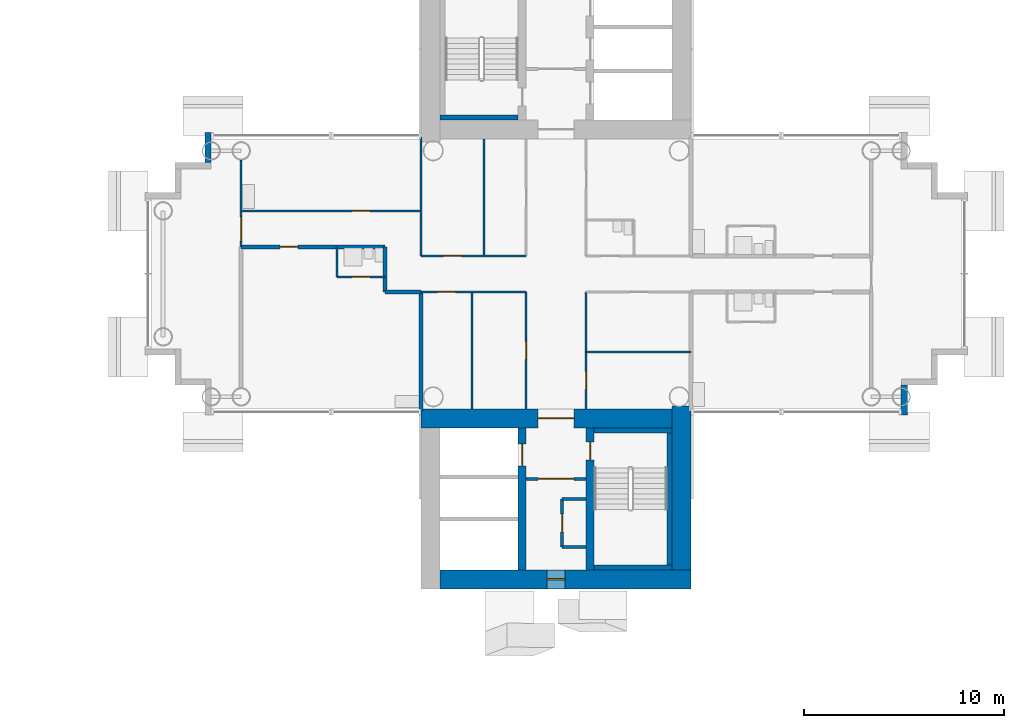
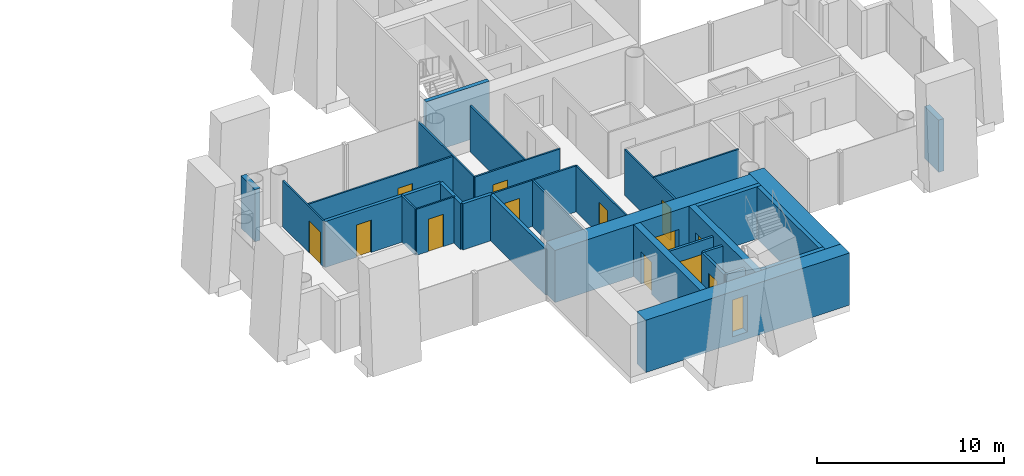
# One storey, part 12 of 21: 31 walls, 13 doors, 1 window, 14 openings.
"""IFC4 building model written with IfcOpenShell, lengths in metres."""

from ifc_helpers import new_model, si_unit, direction, frame, frame_2d, origin, place, context, subcontext, project, spatial, rectangle, extrude, material, layer, layer_set, type_object, element, fill, save


model = new_model("IFC4")

# Units and contexts
model_context = context("Model", 3, precision=1e-05, world=origin(), true_north=direction((0.0, 1.0)))
body_context = subcontext(model_context, "Body", "Model", "MODEL_VIEW")
ifc_project = project(units=[si_unit("LENGTHUNIT", "METRE"), si_unit("AREAUNIT", "SQUARE_METRE"), si_unit("VOLUMEUNIT", "CUBIC_METRE"), si_unit("PLANEANGLEUNIT", "RADIAN"), si_unit("MASSUNIT", "GRAM", prefix="KILO")], contexts=[model_context])

# Site, building, storey
site_placement = place(None, origin())
site = spatial("IfcSite", under=ifc_project, at=site_placement, CompositionType="ELEMENT")
building_placement = place(site_placement, origin())
building = spatial("IfcBuilding", under=site, at=building_placement, Name="Ipe Terrace Towers", CompositionType="ELEMENT")
storey_placement = place(building_placement, frame((0.0, 0.0, 86.800048828125)))
storey = spatial("IfcBuildingStorey", under=building, at=storey_placement, Name="L23", CompositionType="ELEMENT", Elevation=86.800048828125)

# Walls
ifc_material_1 = material(Name="Concrete C40/50 with buff precast cladding", Category="concrete")
ifc_layer_1 = layer(ifc_material_1, 0.320068359375)
ifc_layer_set_1 = layer_set([ifc_layer_1], Name="BUFF CLADDING WALL 320")
wall_type_1 = type_object("IfcWallType", Name="BUFF CLADDING WALL 320", PredefinedType="STANDARD", material=ifc_layer_set_1)
for number, where, z_axis, x_axis, name in (
    (1, (53.409912109375, -7.070068359375, -0.300048828125), (0.0, 0.0, 1.0), (0.0, 1.0, 0.0), "T2-W-L23-04a wall"),
    (2, (18.590087890625, 7.070068359375, -0.300048828125), (0.0, 0.0, 1.0), (0.0, -1.0, 0.0), "T2-W-L23-30a wall"),
):
    element("IfcWall", number, at=place(storey_placement, frame(where, z_axis=z_axis, x_axis=x_axis)), inside=storey, type_object=wall_type_1, Name=name, PredefinedType="STANDARD", context=body_context, shape_type="SweptSolid", body=[
        extrude(rectangle(XDim=1.5, YDim=0.320068359375, at=frame_2d((0.75, 0.0))), origin(), (0.0, 0.0, 1.0), 3.39990234375),
    ])
ifc_material_2 = material(Name="Gypsum board partition", Category="plasterboard")
ifc_layer_2 = layer(ifc_material_2, 0.10009765625)
ifc_layer_set_2 = layer_set([ifc_layer_2], Name="Gypsum board partition 100 mm")
wall_type_2 = type_object("IfcWallType", Name="Gypsum board partition 100 mm", PredefinedType="PARTITIONING", material=ifc_layer_set_2)
wall_1_placement = place(storey_placement, frame((42.75, -3.89990234375, 0.0), z_axis=(0.0, 0.0, 1.0), x_axis=(-1.0, 0.0, 0.0)))
element("IfcWall", 3, at=wall_1_placement, inside=storey, type_object=wall_type_2, Name="Gypsum board partition T2 L23 W01", PredefinedType="PARTITIONING", context=body_context, shape_type="SweptSolid", body=[
    extrude(rectangle(XDim=5.25, YDim=0.10009765625, at=frame_2d((2.625, 0.0))), origin(), (0.0, 0.0, 1.0), 3.0),
])

# Wall, opening, door
wall_2_placement = place(storey_placement, frame((34.5, -0.89990234375, 0.0), z_axis=(0.0, 0.0, 1.0), x_axis=(-1.0, 0.0, 0.0)))
wall_2 = element("IfcWall", 4, at=wall_2_placement, inside=storey, type_object=wall_type_2, Name="Gypsum board partition T2 L23 W04", PredefinedType="PARTITIONING", context=body_context, shape_type="SweptSolid", body=[
    extrude(rectangle(XDim=5.25, YDim=0.10009765625, at=frame_2d((2.625, 0.0))), origin(), (0.0, 0.0, 1.0), 3.0),
])
opening_1_placement = place(wall_2_placement, frame((3.52490234375, 0.0, 0.0)))
opening_1 = element("IfcOpeningElement", 5, at=opening_1_placement, cuts=wall_2, Name="Opening T2-Z2C-05", PredefinedType="OPENING", context=body_context, shape_type="SweptSolid", body=[
    extrude(rectangle(XDim=0.89990234375, YDim=2.10009765625, at=frame_2d((0.449951171875, 1.050048828125))), frame((0.0, 0.06005859375, 0.0), z_axis=(0.0, -1.0, 0.0), x_axis=(1.0, 0.0, 0.0)), (0.0, 0.0, 1.0), 0.1201171875),
])
ifc_material_3 = material(Name="Timber door leaf", Category="wood")
door_type_1 = type_object("IfcDoorType", Name="Lounge door 900 x 2100", OperationType="NOTDEFINED", PredefinedType="DOOR", material=ifc_material_3)
door_1_placement = place(opening_1_placement, origin())
door_1 = element("IfcDoor", 6, at=door_1_placement, inside=storey, type_object=door_type_1, Name="Lounge door T2-Z2C-05", OperationType="SINGLE_SWING_LEFT", OverallHeight=2.10009765625, OverallWidth=0.89990234375, PredefinedType="DOOR", context=body_context, shape_type="SweptSolid", body=[
    extrude(rectangle(XDim=0.89990234375, YDim=2.10009765625, at=frame_2d((0.449951171875, 1.050048828125))), frame((0.0, 0.02490234375, 0.0), z_axis=(0.0, -1.0, 0.0), x_axis=(1.0, 0.0, 0.0)), (0.0, 0.0, 1.0), 0.050048828125),
])
fill(opening_1, door_1)

wall_3_placement = place(storey_placement, frame((27.449951171875, -0.14990234375, 0.0), z_axis=(0.0, 0.0, 1.0), x_axis=(-1.0, 0.0, 0.0)))
wall_3 = element("IfcWall", 7, at=wall_3_placement, inside=storey, type_object=wall_type_2, Name="Gypsum board partition T2 L23 W07", PredefinedType="PARTITIONING", context=body_context, shape_type="SweptSolid", body=[
    extrude(rectangle(XDim=2.39990234375, YDim=0.10009765625, at=frame_2d((1.199951171875, 0.0))), origin(), (0.0, 0.0, 1.0), 3.0),
])
opening_2_placement = place(wall_3_placement, frame((0.75, 0.0, 0.0)))
opening_2 = element("IfcOpeningElement", 8, at=opening_2_placement, cuts=wall_3, Name="Opening T2-Z2C-10", PredefinedType="OPENING", context=body_context, shape_type="SweptSolid", body=[
    extrude(rectangle(XDim=0.89990234375, YDim=2.10009765625, at=frame_2d((0.449951171875, 1.050048828125))), frame((0.0, 0.06005859375, 0.0), z_axis=(0.0, -1.0, 0.0), x_axis=(1.0, 0.0, 0.0)), (0.0, 0.0, 1.0), 0.1201171875),
])
ifc_material_4 = material(Name="Timber door leaf", Category="wood")
door_type_2 = type_object("IfcDoorType", Name="Bathroom door 900 x 2100", OperationType="NOTDEFINED", PredefinedType="DOOR", material=ifc_material_4)
door_2_placement = place(opening_2_placement, origin())
door_2 = element("IfcDoor", 9, at=door_2_placement, inside=storey, type_object=door_type_2, Name="Bathroom door T2-Z2C-10", OperationType="SINGLE_SWING_RIGHT", OverallHeight=2.10009765625, OverallWidth=0.89990234375, PredefinedType="DOOR", context=body_context, shape_type="SweptSolid", body=[
    extrude(rectangle(XDim=0.89990234375, YDim=2.10009765625, at=frame_2d((0.449951171875, 1.050048828125))), frame((0.0, 0.02490234375, 0.0), z_axis=(0.0, -1.0, 0.0), x_axis=(1.0, 0.0, 0.0)), (0.0, 0.0, 1.0), 0.050048828125),
])
fill(opening_2, door_2)

wall_4_placement = place(storey_placement, frame((34.5, 0.89990234375, 0.0), z_axis=(0.0, 0.0, 1.0), x_axis=(-1.0, 0.0, 0.0)))
wall_4 = element("IfcWall", 10, at=wall_4_placement, inside=storey, type_object=wall_type_2, Name="Gypsum board partition T2 L23 W09", PredefinedType="PARTITIONING", context=body_context, shape_type="SweptSolid", body=[
    extrude(rectangle(XDim=5.25, YDim=0.10009765625, at=frame_2d((2.625, 0.0))), origin(), (0.0, 0.0, 1.0), 3.0),
])
opening_3_placement = place(wall_4_placement, frame((3.22509765625, 0.0, 0.0)))
opening_3 = element("IfcOpeningElement", 11, at=opening_3_placement, cuts=wall_4, Name="Opening T2-Z2C-03", PredefinedType="OPENING", context=body_context, shape_type="SweptSolid", body=[
    extrude(rectangle(XDim=0.89990234375, YDim=2.10009765625, at=frame_2d((0.449951171875, 1.050048828125))), frame((0.0, 0.06005859375, 0.0), z_axis=(0.0, -1.0, 0.0), x_axis=(1.0, 0.0, 0.0)), (0.0, 0.0, 1.0), 0.1201171875),
])
door_3_placement = place(opening_3_placement, origin())
door_3 = element("IfcDoor", 12, at=door_3_placement, inside=storey, type_object=door_type_1, Name="Lounge door T2-Z2C-03", OperationType="SINGLE_SWING_RIGHT", OverallHeight=2.10009765625, OverallWidth=0.89990234375, PredefinedType="DOOR", context=body_context, shape_type="SweptSolid", body=[
    extrude(rectangle(XDim=0.89990234375, YDim=2.10009765625, at=frame_2d((0.449951171875, 1.050048828125))), frame((0.0, 0.02490234375, 0.0), z_axis=(0.0, -1.0, 0.0), x_axis=(1.0, 0.0, 0.0)), (0.0, 0.0, 1.0), 0.050048828125),
])
fill(opening_3, door_3)

wall_5_placement = place(storey_placement, frame((29.25, 3.14990234375, 0.0), z_axis=(0.0, 0.0, 1.0), x_axis=(-1.0, 0.0, 0.0)))
wall_5 = element("IfcWall", 13, at=wall_5_placement, inside=storey, type_object=wall_type_2, Name="Gypsum board partition T2 L23 W14", PredefinedType="PARTITIONING", context=body_context, shape_type="SweptSolid", body=[
    extrude(rectangle(XDim=9.0, YDim=0.10009765625, at=frame_2d((4.5, 0.0))), origin(), (0.0, 0.0, 1.0), 3.0),
])
opening_4_placement = place(wall_5_placement, frame((2.550048828125, 0.0, 0.0)))
opening_4 = element("IfcOpeningElement", 14, at=opening_4_placement, cuts=wall_5, Name="Opening T2-Z2C-11", PredefinedType="OPENING", context=body_context, shape_type="SweptSolid", body=[
    extrude(rectangle(XDim=0.89990234375, YDim=2.10009765625, at=frame_2d((0.449951171875, 1.050048828125))), frame((0.0, 0.06005859375, 0.0), z_axis=(0.0, -1.0, 0.0), x_axis=(1.0, 0.0, 0.0)), (0.0, 0.0, 1.0), 0.1201171875),
])
door_4_placement = place(opening_4_placement, origin())
door_4 = element("IfcDoor", 15, at=door_4_placement, inside=storey, type_object=door_type_1, Name="Lounge door T2-Z2C-11", OperationType="SINGLE_SWING_LEFT", OverallHeight=2.10009765625, OverallWidth=0.89990234375, PredefinedType="DOOR", context=body_context, shape_type="SweptSolid", body=[
    extrude(rectangle(XDim=0.89990234375, YDim=2.10009765625, at=frame_2d((0.449951171875, 1.050048828125))), frame((0.0, 0.02490234375, 0.0), z_axis=(0.0, -1.0, 0.0), x_axis=(1.0, 0.0, 0.0)), (0.0, 0.0, 1.0), 0.050048828125),
])
fill(opening_4, door_4)

wall_6_placement = place(storey_placement, frame((37.5, -6.75, 0.0), z_axis=(0.0, 0.0, 1.0), x_axis=(0.0, 1.0, 0.0)))
wall_6 = element("IfcWall", 16, at=wall_6_placement, inside=storey, type_object=wall_type_2, Name="Gypsum board partition T2 L23 W30", PredefinedType="PARTITIONING", context=body_context, shape_type="SweptSolid", body=[
    extrude(rectangle(XDim=5.85009765625, YDim=0.10009765625, at=frame_2d((2.925048828125, 0.0))), origin(), (0.0, 0.0, 1.0), 3.0),
])
opening_5_placement = place(wall_6_placement, frame((0.97509765625, 0.0, 0.0)))
opening_5 = element("IfcOpeningElement", 17, at=opening_5_placement, cuts=wall_6, Name="Opening T2-Z2C-07", PredefinedType="OPENING", context=body_context, shape_type="SweptSolid", body=[
    extrude(rectangle(XDim=0.89990234375, YDim=2.10009765625, at=frame_2d((0.449951171875, 1.050048828125))), frame((0.0, 0.06005859375, 0.0), z_axis=(0.0, -1.0, 0.0), x_axis=(1.0, 0.0, 0.0)), (0.0, 0.0, 1.0), 0.1201171875),
])
door_5_placement = place(opening_5_placement, origin())
door_5 = element("IfcDoor", 18, at=door_5_placement, inside=storey, type_object=door_type_1, Name="Lounge door T2-Z2C-07", OperationType="SINGLE_SWING_LEFT", OverallHeight=2.10009765625, OverallWidth=0.89990234375, PredefinedType="DOOR", context=body_context, shape_type="SweptSolid", body=[
    extrude(rectangle(XDim=0.89990234375, YDim=2.10009765625, at=frame_2d((0.449951171875, 1.050048828125))), frame((0.0, 0.02490234375, 0.0), z_axis=(0.0, -1.0, 0.0), x_axis=(1.0, 0.0, 0.0)), (0.0, 0.0, 1.0), 0.050048828125),
])
fill(opening_5, door_5)

wall_7_placement = place(storey_placement, frame((34.5, -6.75, 0.0), z_axis=(0.0, 0.0, 1.0), x_axis=(0.0, 1.0, 0.0)))
wall_7 = element("IfcWall", 19, at=wall_7_placement, inside=storey, type_object=wall_type_2, Name="Gypsum board partition T2 L23 W34", PredefinedType="PARTITIONING", context=body_context, shape_type="SweptSolid", body=[
    extrude(rectangle(XDim=5.85009765625, YDim=0.10009765625, at=frame_2d((2.925048828125, 0.0))), origin(), (0.0, 0.0, 1.0), 3.0),
])
opening_6_placement = place(wall_7_placement, frame((2.47509765625, 0.0, 0.0)))
opening_6 = element("IfcOpeningElement", 20, at=opening_6_placement, cuts=wall_7, Name="Opening T2-Z2C-04", PredefinedType="OPENING", context=body_context, shape_type="SweptSolid", body=[
    extrude(rectangle(XDim=0.89990234375, YDim=2.10009765625, at=frame_2d((0.449951171875, 1.050048828125))), frame((0.0, 0.06005859375, 0.0), z_axis=(0.0, -1.0, 0.0), x_axis=(1.0, 0.0, 0.0)), (0.0, 0.0, 1.0), 0.1201171875),
])
door_6_placement = place(opening_6_placement, origin())
door_6 = element("IfcDoor", 21, at=door_6_placement, inside=storey, type_object=door_type_1, Name="Lounge door T2-Z2C-04", OperationType="SINGLE_SWING_RIGHT", OverallHeight=2.10009765625, OverallWidth=0.89990234375, PredefinedType="DOOR", context=body_context, shape_type="SweptSolid", body=[
    extrude(rectangle(XDim=0.89990234375, YDim=2.10009765625, at=frame_2d((0.449951171875, 1.050048828125))), frame((0.0, 0.02490234375, 0.0), z_axis=(0.0, -1.0, 0.0), x_axis=(1.0, 0.0, 0.0)), (0.0, 0.0, 1.0), 0.050048828125),
])
fill(opening_6, door_6)

# Walls
for number, where, z_axis, x_axis, name in (
    (22, (32.39990234375, 0.89990234375, 0.0), (0.0, 0.0, 1.0), (0.0, 1.0, 0.0), "Gypsum board partition T2 L23 W38"),
    (23, (31.800048828125, -6.75, 0.0), (0.0, 0.0, 1.0), (0.0, 1.0, 0.0), "Gypsum board partition T2 L23 W39"),
):
    element("IfcWall", number, at=place(storey_placement, frame(where, z_axis=z_axis, x_axis=x_axis)), inside=storey, type_object=wall_type_2, Name=name, PredefinedType="PARTITIONING", context=body_context, shape_type="SweptSolid", body=[
        extrude(rectangle(XDim=5.85009765625, YDim=0.10009765625, at=frame_2d((2.925048828125, 0.0))), origin(), (0.0, 0.0, 1.0), 3.0),
    ])
wall_8_placement = place(storey_placement, frame((29.25, 0.89990234375, 0.0), z_axis=(0.0, 0.0, 1.0), x_axis=(0.0, 1.0, 0.0)))
element("IfcWall", 24, at=wall_8_placement, inside=storey, type_object=wall_type_2, Name="Gypsum board partition T2 L23 W40", PredefinedType="PARTITIONING", context=body_context, shape_type="SweptSolid", body=[
    extrude(rectangle(XDim=5.9501953125, YDim=0.10009765625, at=frame_2d((2.97509765625, 0.0))), origin(), (0.0, 0.0, 1.0), 3.0),
])
wall_9_placement = place(storey_placement, frame((25.050048828125, -0.14990234375, 0.0), z_axis=(0.0, 0.0, 1.0), x_axis=(0.0, 1.0, 0.0)))
element("IfcWall", 25, at=wall_9_placement, inside=storey, type_object=wall_type_2, Name="Gypsum board partition T2 L23 W43", PredefinedType="PARTITIONING", context=body_context, shape_type="SweptSolid", body=[
    extrude(rectangle(XDim=1.5, YDim=0.10009765625, at=frame_2d((0.75, 0.0))), origin(), (0.0, 0.0, 1.0), 3.0),
])

# Wall, opening, door
wall_10_placement = place(storey_placement, frame((20.25, 1.35009765625, 0.0), z_axis=(0.0, 0.0, 1.0), x_axis=(0.0, 1.0, 0.0)))
wall_10 = element("IfcWall", 26, at=wall_10_placement, inside=storey, type_object=wall_type_2, Name="Gypsum board partition T2 L23 W44", PredefinedType="PARTITIONING", context=body_context, shape_type="SweptSolid", body=[
    extrude(rectangle(XDim=4.349853515625, YDim=0.10009765625, at=frame_2d((2.1748046875, 0.0))), origin(), (0.0, 0.0, 1.0), 3.0),
])
opening_7_placement = place(wall_10_placement, frame((0.300048828125, 0.0, 0.0)))
opening_7 = element("IfcOpeningElement", 27, at=opening_7_placement, cuts=wall_10, Name="Opening T2-Z2C-12", PredefinedType="OPENING", context=body_context, shape_type="SweptSolid", body=[
    extrude(rectangle(XDim=1.199951171875, YDim=2.10009765625, at=frame_2d((0.60009765625, 1.050048828125))), frame((0.0, 0.06005859375, 0.0), z_axis=(0.0, -1.0, 0.0), x_axis=(1.0, 0.0, 0.0)), (0.0, 0.0, 1.0), 0.1201171875),
])
ifc_material_5 = material(Name="Timber door leaf", Category="wood")
door_type_3 = type_object("IfcDoorType", Name="Lounge door 1200 x 2100", OperationType="NOTDEFINED", PredefinedType="DOOR", material=ifc_material_5)
door_7_placement = place(opening_7_placement, origin())
door_7 = element("IfcDoor", 28, at=door_7_placement, inside=storey, type_object=door_type_3, Name="Lounge door T2-Z2C-12", OperationType="SINGLE_SWING_RIGHT", OverallHeight=2.10009765625, OverallWidth=1.199951171875, PredefinedType="DOOR", context=body_context, shape_type="SweptSolid", body=[
    extrude(rectangle(XDim=1.199951171875, YDim=2.10009765625, at=frame_2d((0.60009765625, 1.050048828125))), frame((0.0, 0.02490234375, 0.0), z_axis=(0.0, -1.0, 0.0), x_axis=(1.0, 0.0, 0.0)), (0.0, 0.0, 1.0), 0.050048828125),
])
fill(opening_7, door_7)

ifc_material_6 = material(Name="Gypsum board partition", Category="plasterboard")
ifc_layer_3 = layer(ifc_material_6, 0.14990234375)
ifc_layer_set_3 = layer_set([ifc_layer_3], Name="Gypsum board partition 150 mm")
wall_type_3 = type_object("IfcWallType", Name="Gypsum board partition 150 mm", PredefinedType="PARTITIONING", material=ifc_layer_set_3)
wall_11_placement = place(storey_placement, frame((34.5, -10.25, 0.0), z_axis=(0.0, 0.0, 1.0), x_axis=(1.0, 0.0, 0.0)))
wall_11 = element("IfcWall", 29, at=wall_11_placement, inside=storey, type_object=wall_type_3, Name="Gypsum board partition T2 L23 t2c2-lobby-wall", PredefinedType="PARTITIONING", context=body_context, shape_type="SweptSolid", body=[
    extrude(rectangle(XDim=3.0, YDim=0.14990234375, at=frame_2d((1.5, 0.0))), origin(), (0.0, 0.0, 1.0), 3.0),
])
opening_8_placement = place(wall_11_placement, frame((0.60009765625, 0.0, 0.0)))
opening_8 = element("IfcOpeningElement", 30, at=opening_8_placement, cuts=wall_11, Name="Opening T2C2-VD", PredefinedType="OPENING", context=body_context, shape_type="SweptSolid", body=[
    extrude(rectangle(XDim=1.800048828125, YDim=2.10009765625, at=frame_2d((0.89990234375, 1.050048828125))), frame((0.0, 0.0849609375, 0.0), z_axis=(0.0, -1.0, 0.0), x_axis=(1.0, 0.0, 0.0)), (0.0, 0.0, 1.0), 0.169921875),
])
ifc_material_7 = material(Name="Fire-rated timber door leaf", Category="wood")
door_type_4 = type_object("IfcDoorType", Name="Lobby door 1800 x 2100 FD60", OperationType="NOTDEFINED", PredefinedType="DOOR", material=ifc_material_7)
door_8_placement = place(opening_8_placement, origin())
door_8 = element("IfcDoor", 31, at=door_8_placement, inside=storey, type_object=door_type_4, Name="Lobby door T2C2-VD", OperationType="SINGLE_SWING_LEFT", OverallHeight=2.10009765625, OverallWidth=1.800048828125, PredefinedType="DOOR", context=body_context, shape_type="SweptSolid", body=[
    extrude(rectangle(XDim=1.800048828125, YDim=2.10009765625, at=frame_2d((0.89990234375, 1.050048828125))), frame((0.0, 0.02490234375, 0.0), z_axis=(0.0, -1.0, 0.0), x_axis=(1.0, 0.0, 0.0)), (0.0, 0.0, 1.0), 0.050048828125),
])
fill(opening_8, door_8)

wall_12_placement = place(storey_placement, frame((36.300048828125, -11.25, 0.0), z_axis=(0.0, 0.0, 1.0), x_axis=(0.0, -1.0, 0.0)))
wall_12 = element("IfcWall", 32, at=wall_12_placement, inside=storey, type_object=wall_type_3, Name="Gypsum board partition T2 L23 t2c2-cup-n-f", PredefinedType="PARTITIONING", context=body_context, shape_type="SweptSolid", body=[
    extrude(rectangle(XDim=2.39990234375, YDim=0.14990234375, at=frame_2d((1.199951171875, 0.0))), origin(), (0.0, 0.0, 1.0), 3.0),
])
opening_9_placement = place(wall_12_placement, frame((0.75, 0.0, 0.0)))
opening_9 = element("IfcOpeningElement", 33, at=opening_9_placement, cuts=wall_12, Name="Opening T2C2-SR", PredefinedType="OPENING", context=body_context, shape_type="SweptSolid", body=[
    extrude(rectangle(XDim=0.89990234375, YDim=2.10009765625, at=frame_2d((0.449951171875, 1.050048828125))), frame((0.0, 0.0849609375, 0.0), z_axis=(0.0, -1.0, 0.0), x_axis=(1.0, 0.0, 0.0)), (0.0, 0.0, 1.0), 0.169921875),
])
ifc_material_8 = material(Name="Fire-rated timber door leaf", Category="wood")
door_type_5 = type_object("IfcDoorType", Name="Service door 900 x 2100 FD60", OperationType="NOTDEFINED", PredefinedType="DOOR", material=ifc_material_8)
door_9_placement = place(opening_9_placement, origin())
door_9 = element("IfcDoor", 34, at=door_9_placement, inside=storey, type_object=door_type_5, Name="Service door T2C2-SR", OperationType="SINGLE_SWING_LEFT", OverallHeight=2.10009765625, OverallWidth=0.89990234375, PredefinedType="DOOR", context=body_context, shape_type="SweptSolid", body=[
    extrude(rectangle(XDim=0.89990234375, YDim=2.10009765625, at=frame_2d((0.449951171875, 1.050048828125))), frame((0.0, 0.02490234375, 0.0), z_axis=(0.0, -1.0, 0.0), x_axis=(1.0, 0.0, 0.0)), (0.0, 0.0, 1.0), 0.050048828125),
])
fill(opening_9, door_9)

# Walls
for number, where, z_axis, x_axis, name in (
    (35, (36.300048828125, -11.25, 0.0), (0.0, 0.0, 1.0), (1.0, 0.0, 0.0), "Gypsum board partition T2 L23 t2c2-cup-n-a"),
    (36, (36.300048828125, -13.64990234375, 0.0), (0.0, 0.0, 1.0), (1.0, 0.0, 0.0), "Gypsum board partition T2 L23 t2c2-cup-n-b"),
):
    element("IfcWall", number, at=place(storey_placement, frame(where, z_axis=z_axis, x_axis=x_axis)), inside=storey, type_object=wall_type_3, Name=name, PredefinedType="PARTITIONING", context=body_context, shape_type="SweptSolid", body=[
        extrude(rectangle(XDim=1.199951171875, YDim=0.14990234375, at=frame_2d((0.60009765625, 0.0))), origin(), (0.0, 0.0, 1.0), 3.0),
    ])
ifc_material_9 = material(Name="Gypsum board party wall", Category="plasterboard")
ifc_layer_4 = layer(ifc_material_9, 0.199951171875)
ifc_layer_set_4 = layer_set([ifc_layer_4], Name="Gypsum board party wall 200 mm")
wall_type_4 = type_object("IfcWallType", Name="Gypsum board party wall 200 mm", PredefinedType="SOLIDWALL", material=ifc_layer_set_4)
wall_13_placement = place(storey_placement, frame((29.25, -0.89990234375, 0.0), z_axis=(0.0, 0.0, 1.0), x_axis=(-1.0, 0.0, 0.0)))
element("IfcWall", 37, at=wall_13_placement, inside=storey, type_object=wall_type_4, Name="Gypsum board party wall T2 L23 W06", PredefinedType="SOLIDWALL", context=body_context, shape_type="SweptSolid", body=[
    extrude(rectangle(XDim=1.800048828125, YDim=0.199951171875, at=frame_2d((0.89990234375, 0.0))), origin(), (0.0, 0.0, 1.0), 3.0),
])

# Wall, opening, door
wall_14_placement = place(storey_placement, frame((27.449951171875, 1.35009765625, 0.0), z_axis=(0.0, 0.0, 1.0), x_axis=(-1.0, 0.0, 0.0)))
wall_14 = element("IfcWall", 38, at=wall_14_placement, inside=storey, type_object=wall_type_4, Name="Gypsum board party wall T2 L23 W11", PredefinedType="SOLIDWALL", context=body_context, shape_type="SweptSolid", body=[
    extrude(rectangle(XDim=7.199951171875, YDim=0.199951171875, at=frame_2d((3.60009765625, 0.0))), origin(), (0.0, 0.0, 1.0), 3.0),
])
opening_10_placement = place(wall_14_placement, frame((4.35009765625, 0.0, 0.0)))
opening_10 = element("IfcOpeningElement", 39, at=opening_10_placement, cuts=wall_14, Name="Opening T2-Z2C-09", PredefinedType="OPENING", context=body_context, shape_type="SweptSolid", body=[
    extrude(rectangle(XDim=0.89990234375, YDim=2.10009765625, at=frame_2d((0.449951171875, 1.050048828125))), frame((0.0, 0.10986328125, 0.0), z_axis=(0.0, -1.0, 0.0), x_axis=(1.0, 0.0, 0.0)), (0.0, 0.0, 1.0), 0.219970703125),
])
ifc_material_10 = material(Name="Fire-rated timber door leaf", Category="wood")
door_type_6 = type_object("IfcDoorType", Name="Flat entrance door 900 x 2100 FD30S", OperationType="NOTDEFINED", PredefinedType="DOOR", material=ifc_material_10)
door_10_placement = place(opening_10_placement, origin())
door_10 = element("IfcDoor", 40, at=door_10_placement, inside=storey, type_object=door_type_6, Name="Flat entrance door T2-Z2C-09", OperationType="SINGLE_SWING_LEFT", OverallHeight=2.10009765625, OverallWidth=0.89990234375, PredefinedType="DOOR", context=body_context, shape_type="SweptSolid", body=[
    extrude(rectangle(XDim=0.89990234375, YDim=2.10009765625, at=frame_2d((0.449951171875, 1.050048828125))), frame((0.0, 0.02490234375, 0.0), z_axis=(0.0, -1.0, 0.0), x_axis=(1.0, 0.0, 0.0)), (0.0, 0.0, 1.0), 0.050048828125),
])
fill(opening_10, door_10)

# Walls
wall_15_placement = place(storey_placement, frame((29.25, -6.85009765625, 0.0), z_axis=(0.0, 0.0, 1.0), x_axis=(0.0, 1.0, 0.0)))
element("IfcWall", 41, at=wall_15_placement, inside=storey, type_object=wall_type_4, Name="Gypsum board party wall T2 L23 W41", PredefinedType="SOLIDWALL", context=body_context, shape_type="SweptSolid", body=[
    extrude(rectangle(XDim=5.9501953125, YDim=0.199951171875, at=frame_2d((2.97509765625, 0.0))), origin(), (0.0, 0.0, 1.0), 3.0),
])
wall_16_placement = place(storey_placement, frame((27.449951171875, -0.89990234375, 0.0), z_axis=(0.0, 0.0, 1.0), x_axis=(0.0, 1.0, 0.0)))
element("IfcWall", 42, at=wall_16_placement, inside=storey, type_object=wall_type_4, Name="Gypsum board party wall T2 L23 W42", PredefinedType="SOLIDWALL", context=body_context, shape_type="SweptSolid", body=[
    extrude(rectangle(XDim=2.25, YDim=0.199951171875, at=frame_2d((1.125, 0.0))), origin(), (0.0, 0.0, 1.0), 3.0),
])
ifc_material_11 = material(Name="Concrete C50/60", Category="concrete")
ifc_layer_5 = layer(ifc_material_11, 0.25)
ifc_layer_set_5 = layer_set([ifc_layer_5], Name="RW250 CORE INFILL WALL 250 C50-60")
wall_type_5 = type_object("IfcWallType", Name="RW250 CORE INFILL WALL 250 C50-60", PredefinedType="SHEAR", material=ifc_layer_set_5)
for number, where, z_axis, x_axis, name in (
    (43, (34.10009765625, 7.824951171875, 0.0), (0.0, 0.0, 1.0), (-1.0, 0.0, 0.0), "Core infill wall T2-C1-near"),
    (44, (37.89990234375, -14.675048828125, 0.0), (0.0, 0.0, 1.0), (1.0, 0.0, 0.0), "Core infill wall T2-C2-far"),
):
    element("IfcWall", number, at=place(storey_placement, frame(where, z_axis=z_axis, x_axis=x_axis)), inside=storey, type_object=wall_type_5, Name=name, PredefinedType="SHEAR", context=body_context, shape_type="SweptSolid", body=[
        extrude(rectangle(XDim=3.900146484375, YDim=0.25, at=frame_2d((1.9501953125, 0.0))), origin(), (0.0, 0.0, 1.0), 3.39990234375),
    ])
wall_17_placement = place(storey_placement, frame((41.675048828125, -7.949951171875, 0.0), z_axis=(0.0, 0.0, 1.0), x_axis=(0.0, -1.0, 0.0)))
element("IfcWall", 45, at=wall_17_placement, inside=storey, type_object=wall_type_5, Name="Core infill wall T2-C2-back", PredefinedType="SHEAR", context=body_context, shape_type="SweptSolid", body=[
    extrude(rectangle(XDim=6.60009765625, YDim=0.25, at=frame_2d((3.300048828125, 0.0))), origin(), (0.0, 0.0, 1.0), 3.39990234375),
])
wall_18_placement = place(storey_placement, frame((37.89990234375, -7.824951171875, 0.0), z_axis=(0.0, 0.0, 1.0), x_axis=(1.0, 0.0, 0.0)))
element("IfcWall", 46, at=wall_18_placement, inside=storey, type_object=wall_type_5, Name="Core infill wall T2-C2-near", PredefinedType="SHEAR", context=body_context, shape_type="SweptSolid", body=[
    extrude(rectangle(XDim=3.900146484375, YDim=0.25, at=frame_2d((1.9501953125, 0.0))), origin(), (0.0, 0.0, 1.0), 3.39990234375),
])

# Wall, opening, door
ifc_material_12 = material(Name="Concrete C50/60", Category="concrete")
ifc_layer_6 = layer(ifc_material_12, 0.39990234375)
ifc_layer_set_6 = layer_set([ifc_layer_6], Name="RW400 CORE SPINE WALL 400 C50-60")
wall_type_6 = type_object("IfcWallType", Name="RW400 CORE SPINE WALL 400 C50-60", PredefinedType="SHEAR", material=ifc_layer_set_6)
wall_19_placement = place(storey_placement, frame((34.300048828125, -14.800048828125, 0.0), z_axis=(0.0, 0.0, 1.0), x_axis=(0.0, 1.0, 0.0)))
wall_19 = element("IfcWall", 47, at=wall_19_placement, inside=storey, type_object=wall_type_6, Name="Core spine wall T2-C2-Z2-SW1", PredefinedType="SHEAR", context=body_context, shape_type="SweptSolid", body=[
    extrude(rectangle(XDim=7.10009765625, YDim=0.39990234375, at=frame_2d((3.550048828125, 0.0))), origin(), (0.0, 0.0, 1.0), 3.39990234375),
])
opening_11_placement = place(wall_19_placement, frame((5.199951171875, 0.0, 0.0)))
opening_11 = element("IfcOpeningElement", 48, at=opening_11_placement, cuts=wall_19, Name="Opening T2C2-LD1", PredefinedType="OPENING", context=body_context, shape_type="SweptSolid", body=[
    extrude(rectangle(XDim=1.10009765625, YDim=2.10009765625, at=frame_2d((0.550048828125, 1.050048828125))), frame((0.0, 0.2099609375, 0.0), z_axis=(0.0, -1.0, 0.0), x_axis=(1.0, 0.0, 0.0)), (0.0, 0.0, 1.0), 0.419921875),
])
ifc_material_13 = material(Name="Fire-rated timber door leaf", Category="wood")
door_type_7 = type_object("IfcDoorType", Name="Sliding door 1100 x 2100 FD60", OperationType="SLIDING_TO_LEFT", PredefinedType="DOOR", material=ifc_material_13)
door_11_placement = place(opening_11_placement, origin())
door_11 = element("IfcDoor", 49, at=door_11_placement, inside=storey, type_object=door_type_7, Name="Sliding door T2C2-LD1", OperationType="SLIDING_TO_LEFT", OverallHeight=2.10009765625, OverallWidth=1.10009765625, PredefinedType="DOOR", context=body_context, shape_type="SweptSolid", body=[
    extrude(rectangle(XDim=1.10009765625, YDim=2.10009765625, at=frame_2d((0.550048828125, 1.050048828125))), frame((0.0, 0.02490234375, 0.0), z_axis=(0.0, -1.0, 0.0), x_axis=(1.0, 0.0, 0.0)), (0.0, 0.0, 1.0), 0.050048828125),
])
fill(opening_11, door_11)

wall_20_placement = place(storey_placement, frame((37.699951171875, -14.800048828125, 0.0), z_axis=(0.0, 0.0, 1.0), x_axis=(0.0, 1.0, 0.0)))
wall_20 = element("IfcWall", 50, at=wall_20_placement, inside=storey, type_object=wall_type_6, Name="Core spine wall T2-C2-Z2-SW2", PredefinedType="SHEAR", context=body_context, shape_type="SweptSolid", body=[
    extrude(rectangle(XDim=7.10009765625, YDim=0.39990234375, at=frame_2d((3.550048828125, 0.0))), origin(), (0.0, 0.0, 1.0), 3.39990234375),
])
opening_12_placement = place(wall_20_placement, frame((5.5, 0.0, 0.0)))
opening_12 = element("IfcOpeningElement", 51, at=opening_12_placement, cuts=wall_20, Name="Opening T2C2-SD", PredefinedType="OPENING", context=body_context, shape_type="SweptSolid", body=[
    extrude(rectangle(XDim=0.89990234375, YDim=2.10009765625, at=frame_2d((0.449951171875, 1.050048828125))), frame((0.0, 0.2099609375, 0.0), z_axis=(0.0, -1.0, 0.0), x_axis=(1.0, 0.0, 0.0)), (0.0, 0.0, 1.0), 0.419921875),
])
ifc_material_14 = material(Name="Fire-rated timber door leaf", Category="wood")
door_type_8 = type_object("IfcDoorType", Name="Stair door 900 x 2100 FD60", OperationType="NOTDEFINED", PredefinedType="DOOR", material=ifc_material_14)
door_12_placement = place(opening_12_placement, origin())
door_12 = element("IfcDoor", 52, at=door_12_placement, inside=storey, type_object=door_type_8, Name="Stair door T2C2-SD", OperationType="SINGLE_SWING_RIGHT", OverallHeight=2.10009765625, OverallWidth=0.89990234375, PredefinedType="DOOR", context=body_context, shape_type="SweptSolid", body=[
    extrude(rectangle(XDim=0.89990234375, YDim=2.10009765625, at=frame_2d((0.449951171875, 1.050048828125))), frame((0.0, 0.02490234375, 0.0), z_axis=(0.0, -1.0, 0.0), x_axis=(1.0, 0.0, 0.0)), (0.0, 0.0, 1.0), 0.050048828125),
])
fill(opening_12, door_12)

# Wall, opening, window
ifc_material_15 = material(Name="Concrete C50/60", Category="concrete")
ifc_layer_7 = layer(ifc_material_15, 0.949951171875)
ifc_layer_set_7 = layer_set([ifc_layer_7], Name="RW950 CORE WALL 950 C50-60")
wall_type_7 = type_object("IfcWallType", Name="RW950 CORE WALL 950 C50-60", PredefinedType="SHEAR", material=ifc_layer_set_7)
wall_21_placement = place(storey_placement, frame((30.199951171875, -15.27490234375, 0.0), z_axis=(0.0, 0.0, 1.0), x_axis=(1.0, 0.0, 0.0)))
wall_21 = element("IfcWall", 53, at=wall_21_placement, inside=storey, type_object=wall_type_7, Name="Core wall T2-C2-Z2-W01", PredefinedType="SHEAR", context=body_context, shape_type="SweptSolid", body=[
    extrude(rectangle(XDim=12.550048828125, YDim=0.949951171875, at=frame_2d((6.27490234375, 0.0))), origin(), (0.0, 0.0, 1.0), 3.39990234375),
])
opening_13_placement = place(wall_21_placement, frame((5.35009765625, 0.0, 0.449951171875)))
opening_13 = element("IfcOpeningElement", 54, at=opening_13_placement, cuts=wall_21, Name="Opening T2-C2-W-01-L23", PredefinedType="OPENING", context=body_context, shape_type="SweptSolid", body=[
    extrude(rectangle(XDim=0.89990234375, YDim=2.39990234375, at=frame_2d((0.449951171875, 1.199951171875))), frame((0.0, 0.48486328125, 0.0), z_axis=(0.0, -1.0, 0.0), x_axis=(1.0, 0.0, 0.0)), (0.0, 0.0, 1.0), 0.969970703125),
])
ifc_material_16 = material(Name="Fire-resistant glazing EI 60", Category="glass")
window_type = type_object("IfcWindowType", Name="CORRIDOR END SLOT WINDOW 900 x 2400 EI 60", PartitioningType="SINGLE_PANEL", PredefinedType="WINDOW", material=ifc_material_16)
window_placement = place(opening_13_placement, origin())
window = element("IfcWindow", 55, at=window_placement, inside=storey, type_object=window_type, Name="W-01 window", OverallHeight=2.39990234375, OverallWidth=0.89990234375, PartitioningType="SINGLE_PANEL", PredefinedType="WINDOW", context=body_context, shape_type="SweptSolid", body=[
    extrude(rectangle(XDim=0.89990234375, YDim=2.39990234375, at=frame_2d((0.449951171875, 1.199951171875))), frame((0.0, 0.030029296875, 0.0), z_axis=(0.0, -1.0, 0.0), x_axis=(1.0, 0.0, 0.0)), (0.0, 0.0, 1.0), 0.06005859375),
])
fill(opening_13, window)

# Wall
wall_22_placement = place(storey_placement, frame((42.27490234375, -14.800048828125, 0.0), z_axis=(0.0, 0.0, 1.0), x_axis=(0.0, 1.0, 0.0)))
element("IfcWall", 56, at=wall_22_placement, inside=storey, type_object=wall_type_7, Name="Core wall T2-C2-Z2-W02", PredefinedType="SHEAR", context=body_context, shape_type="SweptSolid", body=[
    extrude(rectangle(XDim=8.197998046875, YDim=0.949951171875, at=frame_2d((4.09912109375, 0.0))), origin(), (0.0, 0.0, 1.0), 3.39990234375),
])

# Wall, opening, door
wall_23_placement = place(storey_placement, frame((41.800048828125, -7.22509765625, 0.0), z_axis=(0.0, 0.0, 1.0), x_axis=(-1.0, 0.0, 0.0)))
wall_23 = element("IfcWall", 57, at=wall_23_placement, inside=storey, type_object=wall_type_7, Name="Core wall T2-C2-Z2-W03", PredefinedType="SHEAR", context=body_context, shape_type="SweptSolid", body=[
    extrude(rectangle(XDim=12.550048828125, YDim=0.949951171875, at=frame_2d((6.27490234375, 0.0))), origin(), (0.0, 0.0, 1.0), 3.39990234375),
])
opening_14_placement = place(wall_23_placement, frame((4.89990234375, 0.0, 0.0)))
opening_14 = element("IfcOpeningElement", 58, at=opening_14_placement, cuts=wall_23, Name="Opening T2C2-ND", PredefinedType="OPENING", context=body_context, shape_type="SweptSolid", body=[
    extrude(rectangle(XDim=1.800048828125, YDim=2.10009765625, at=frame_2d((0.89990234375, 1.050048828125))), frame((0.0, 0.48486328125, 0.0), z_axis=(0.0, -1.0, 0.0), x_axis=(1.0, 0.0, 0.0)), (0.0, 0.0, 1.0), 0.969970703125),
])
ifc_material_17 = material(Name="Fire-rated timber door leaf", Category="wood")
door_type_9 = type_object("IfcDoorType", Name="Fire door 1800 x 2100 FD30S", OperationType="NOTDEFINED", PredefinedType="DOOR", material=ifc_material_17)
door_13_placement = place(opening_14_placement, origin())
door_13 = element("IfcDoor", 59, at=door_13_placement, inside=storey, type_object=door_type_9, Name="Fire door T2C2-ND", OperationType="SINGLE_SWING_LEFT", OverallHeight=2.10009765625, OverallWidth=1.800048828125, PredefinedType="DOOR", context=body_context, shape_type="SweptSolid", body=[
    extrude(rectangle(XDim=1.800048828125, YDim=2.10009765625, at=frame_2d((0.89990234375, 1.050048828125))), frame((0.0, 0.02490234375, 0.0), z_axis=(0.0, -1.0, 0.0), x_axis=(1.0, 0.0, 0.0)), (0.0, 0.0, 1.0), 0.050048828125),
])
fill(opening_14, door_13)

save(model, "model.ifc")
